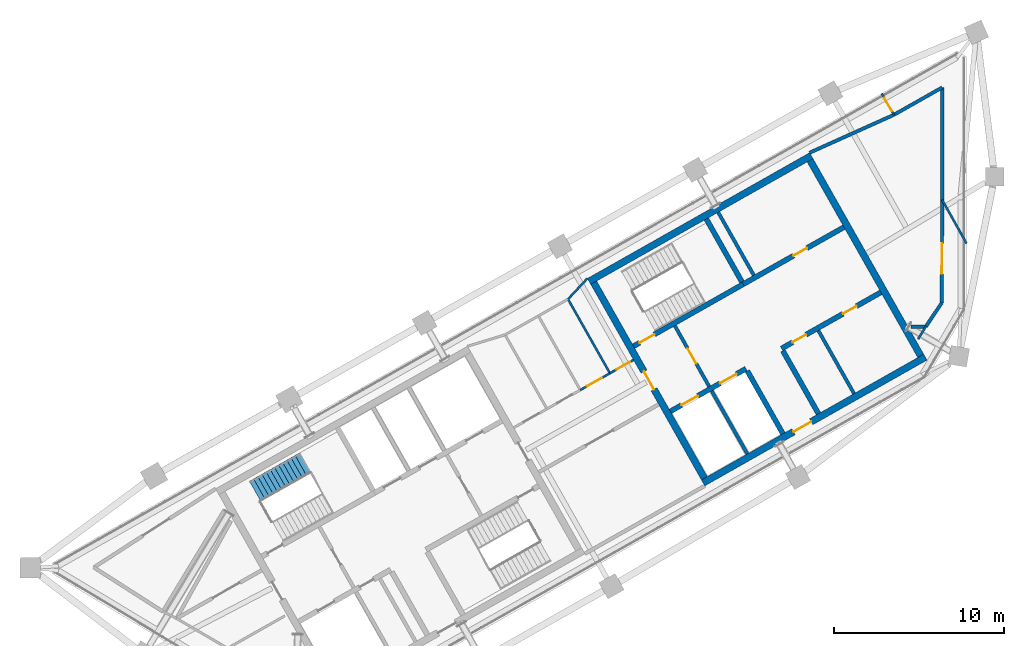
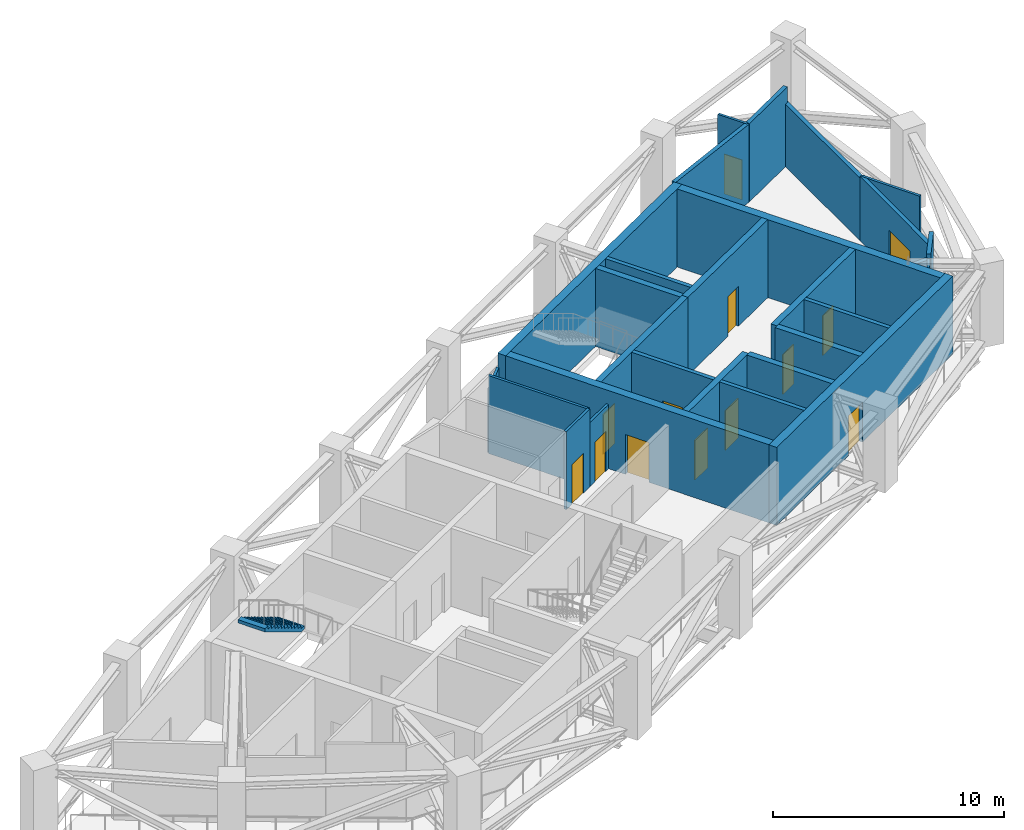
# One storey, part 7 of 10: 28 walls, 13 doors, 1 stair flight, 13 openings, 1 element without a shape of its own.
"""IFC4 building model written with IfcOpenShell, lengths in metres."""

from ifc_helpers import new_model, si_unit, direction, frame, frame_2d, origin, place, context, subcontext, project, spatial, polyline, rectangle, outline, extrude, material, layer, layer_set, type_object, element, fill, aggregate, save


model = new_model("IFC4")

# Units and contexts
model_context = context("Model", 3, precision=1e-05, world=origin(), true_north=direction((0.0, 1.0)))
body_context = subcontext(model_context, "Body", "Model", "MODEL_VIEW")
ifc_project = project(units=[si_unit("LENGTHUNIT", "METRE"), si_unit("AREAUNIT", "SQUARE_METRE"), si_unit("VOLUMEUNIT", "CUBIC_METRE"), si_unit("PLANEANGLEUNIT", "RADIAN"), si_unit("MASSUNIT", "GRAM", prefix="KILO")], contexts=[model_context])

# Site, building, storey
site_placement = place(None, origin())
site = spatial("IfcSite", under=ifc_project, at=site_placement, CompositionType="ELEMENT")
building_placement = place(site_placement, origin())
building = spatial("IfcBuilding", under=site, at=building_placement, Name="Binnacle Exchange Tower", CompositionType="ELEMENT")
storey_placement = place(building_placement, frame((0.0, 0.0, 312.10009765625)))
storey = spatial("IfcBuildingStorey", under=building, at=storey_placement, Name="L70", CompositionType="ELEMENT", Elevation=312.10009765625)

# Wall
ifc_material_1 = material(Name="Gypsum partition fire rated")
ifc_layer_1 = layer(ifc_material_1, 0.199951171875)
ifc_layer_set_1 = layer_set([ifc_layer_1], Name="Core partition 200")
wall_type_1 = type_object("IfcWallType", Name="Core partition 200", PredefinedType="PARTITIONING", material=ifc_layer_set_1)
wall_1_placement = place(storey_placement, frame((-11.201904296875, 50.96240234375, 0.0), z_axis=(0.0, 0.0, 1.0), x_axis=(0.492441437811, -0.870345580977, 0.0)))
element("IfcWall", 1, at=wall_1_placement, inside=storey, type_object=wall_type_1, Name="Core wall CRWC19", PredefinedType="PARTITIONING", context=body_context, shape_type="SweptSolid", body=[
    extrude(rectangle(XDim=4.250244140625, YDim=0.199951171875, at=frame_2d((2.125, 0.0))), origin(), (0.0, 0.0, 1.0), 4.119873046875),
])

# Wall, openings, doors
ifc_material_2 = material(Name="Concrete C70/85", Category="concrete")
ifc_layer_2 = layer(ifc_material_2, 0.300048828125)
ifc_layer_set_2 = layer_set([ifc_layer_2], Name="Core wall - front 300")
wall_type_2 = type_object("IfcWallType", Name="Core wall - front 300", PredefinedType="SOLIDWALL", material=ifc_layer_set_2)
wall_2_placement = place(storey_placement, frame((-19.89208984375, 46.2177734375, 0.0), z_axis=(0.0, 0.0, 1.0), x_axis=(0.870341639186, 0.492448404505, 0.0)))
wall_2 = element("IfcWall", 2, at=wall_2_placement, inside=storey, type_object=wall_type_2, Name="Core wall CRWC2", PredefinedType="SOLIDWALL", context=body_context, shape_type="SweptSolid", body=[
    extrude(rectangle(XDim=5.099853515625, YDim=0.300048828125, at=frame_2d((2.5498046875, 0.0))), origin(), (0.0, 0.0, 1.0), 4.119873046875),
])
opening_1_placement = place(wall_2_placement, frame((0.75, 0.0, 0.0)))
opening_1 = element("IfcOpeningElement", 3, at=opening_1_placement, cuts=wall_2, Name="Opening LD14", PredefinedType="OPENING", context=body_context, shape_type="SweptSolid", body=[
    extrude(rectangle(XDim=1.10009765625, YDim=2.10009765625, at=frame_2d((0.550048828125, 1.050048828125))), frame((0.0, 0.159912109375, 0.0), z_axis=(0.0, -1.0, 0.0), x_axis=(1.0, 0.0, 0.0)), (0.0, 0.0, 1.0), 0.320068359375),
])
opening_2_placement = place(wall_2_placement, frame((3.35009765625, 0.0, 0.0)))
opening_2 = element("IfcOpeningElement", 4, at=opening_2_placement, cuts=wall_2, Name="Opening LD11", PredefinedType="OPENING", context=body_context, shape_type="SweptSolid", body=[
    extrude(rectangle(XDim=1.10009765625, YDim=2.10009765625, at=frame_2d((0.550048828125, 1.050048828125))), frame((0.0, 0.159912109375, 0.0), z_axis=(0.0, -1.0, 0.0), x_axis=(1.0, 0.0, 0.0)), (0.0, 0.0, 1.0), 0.320068359375),
])
ifc_material_3 = material(Name="Steel door leaf", Category="steel")
door_type_1 = type_object("IfcDoorType", Name="Fire door - lift landing 1100", OperationType="NOTDEFINED", PredefinedType="DOOR", material=ifc_material_3)
door_1_placement = place(opening_1_placement, origin())
door_1 = element("IfcDoor", 5, at=door_1_placement, inside=storey, type_object=door_type_1, Name="Landing door LD14 L70", OperationType="DOUBLE_DOOR_SLIDING", OverallHeight=2.10009765625, OverallWidth=1.10009765625, PredefinedType="DOOR", context=body_context, shape_type="SweptSolid", body=[
    extrude(rectangle(XDim=1.10009765625, YDim=2.10009765625, at=frame_2d((0.550048828125, 1.050048828125))), frame((0.0, 0.02490234375, 0.0), z_axis=(0.0, -1.0, 0.0), x_axis=(1.0, 0.0, 0.0)), (0.0, 0.0, 1.0), 0.050048828125),
])
fill(opening_1, door_1)
door_2_placement = place(opening_2_placement, origin())
door_2 = element("IfcDoor", 6, at=door_2_placement, inside=storey, type_object=door_type_1, Name="Landing door LD11 L70", OperationType="DOUBLE_DOOR_SLIDING", OverallHeight=2.10009765625, OverallWidth=1.10009765625, PredefinedType="DOOR", context=body_context, shape_type="SweptSolid", body=[
    extrude(rectangle(XDim=1.10009765625, YDim=2.10009765625, at=frame_2d((0.550048828125, 1.050048828125))), frame((0.0, 0.02490234375, 0.0), z_axis=(0.0, -1.0, 0.0), x_axis=(1.0, 0.0, 0.0)), (0.0, 0.0, 1.0), 0.050048828125),
])
fill(opening_2, door_2)

wall_3_placement = place(storey_placement, frame((-13.364501953125, 49.910888671875, 0.0), z_axis=(0.0, 0.0, 1.0), x_axis=(0.870347618718, 0.492437836272, 0.0)))
wall_3 = element("IfcWall", 7, at=wall_3_placement, inside=storey, type_object=wall_type_2, Name="Core wall CRWC3", PredefinedType="SOLIDWALL", context=body_context, shape_type="SweptSolid", body=[
    extrude(rectangle(XDim=6.699951171875, YDim=0.300048828125, at=frame_2d((3.35009765625, 0.0))), origin(), (0.0, 0.0, 1.0), 4.119873046875),
])
opening_3_placement = place(wall_3_placement, frame((0.75, 0.0, 0.0)))
opening_3 = element("IfcOpeningElement", 8, at=opening_3_placement, cuts=wall_3, Name="Opening DC18", PredefinedType="OPENING", context=body_context, shape_type="SweptSolid", body=[
    extrude(rectangle(XDim=0.89990234375, YDim=2.10009765625, at=frame_2d((0.449951171875, 1.050048828125))), frame((0.0, 0.159912109375, 0.0), z_axis=(0.0, -1.0, 0.0), x_axis=(1.0, 0.0, 0.0)), (0.0, 0.0, 1.0), 0.320068359375),
])
opening_4_placement = place(wall_3_placement, frame((4.14990234375, 0.0, 0.0)))
opening_4 = element("IfcOpeningElement", 9, at=opening_4_placement, cuts=wall_3, Name="Opening DC19", PredefinedType="OPENING", context=body_context, shape_type="SweptSolid", body=[
    extrude(rectangle(XDim=0.89990234375, YDim=2.10009765625, at=frame_2d((0.449951171875, 1.050048828125))), frame((0.0, 0.159912109375, 0.0), z_axis=(0.0, -1.0, 0.0), x_axis=(1.0, 0.0, 0.0)), (0.0, 0.0, 1.0), 0.320068359375),
])
door_type_2 = type_object("IfcDoorType", Name="Fire door 900", OperationType="NOTDEFINED", PredefinedType="DOOR", material=ifc_material_3)
door_3_placement = place(opening_3_placement, frame((0.89990234375, 0.0, 0.0), z_axis=(0.0, 0.0, 1.0), x_axis=(-1.0, 0.0, 0.0)))
door_3 = element("IfcDoor", 10, at=door_3_placement, inside=storey, type_object=door_type_2, Name="Core room door IT STORE", OperationType="SINGLE_SWING_RIGHT", OverallHeight=2.10009765625, OverallWidth=0.89990234375, PredefinedType="DOOR", context=body_context, shape_type="SweptSolid", body=[
    extrude(rectangle(XDim=0.89990234375, YDim=2.10009765625, at=frame_2d((0.449951171875, 1.050048828125))), frame((0.0, 0.02490234375, 0.0), z_axis=(0.0, -1.0, 0.0), x_axis=(1.0, 0.0, 0.0)), (0.0, 0.0, 1.0), 0.050048828125),
])
fill(opening_3, door_3)
door_4_placement = place(opening_4_placement, frame((0.89990234375, 0.0, 0.0), z_axis=(0.0, 0.0, 1.0), x_axis=(-1.0, 0.0, 0.0)))
door_4 = element("IfcDoor", 11, at=door_4_placement, inside=storey, type_object=door_type_2, Name="Core room door TELECOM RISER ROOM", OperationType="SINGLE_SWING_LEFT", OverallHeight=2.10009765625, OverallWidth=0.89990234375, PredefinedType="DOOR", context=body_context, shape_type="SweptSolid", body=[
    extrude(rectangle(XDim=0.89990234375, YDim=2.10009765625, at=frame_2d((0.449951171875, 1.050048828125))), frame((0.0, 0.02490234375, 0.0), z_axis=(0.0, -1.0, 0.0), x_axis=(1.0, 0.0, 0.0)), (0.0, 0.0, 1.0), 0.050048828125),
])
fill(opening_4, door_4)

# Wall, opening, door
wall_4_placement = place(storey_placement, frame((-15.6181640625, 53.69140625, 0.0), z_axis=(0.0, 0.0, 1.0), x_axis=(0.870362830851, 0.492410948978, 0.0)))
wall_4 = element("IfcWall", 12, at=wall_4_placement, inside=storey, type_object=wall_type_2, Name="Core wall CRWC5", PredefinedType="SOLIDWALL", context=body_context, shape_type="SweptSolid", body=[
    extrude(rectangle(XDim=6.800048828125, YDim=0.300048828125, at=frame_2d((3.39990234375, 0.0))), origin(), (0.0, 0.0, 1.0), 4.119873046875),
])
opening_5_placement = place(wall_4_placement, frame((3.400146484375, 0.0, 0.0)))
opening_5 = element("IfcOpeningElement", 13, at=opening_5_placement, cuts=wall_4, Name="Opening DC10", PredefinedType="OPENING", context=body_context, shape_type="SweptSolid", body=[
    extrude(rectangle(XDim=0.89990234375, YDim=2.10009765625, at=frame_2d((0.449951171875, 1.050048828125))), frame((0.0, 0.159912109375, 0.0), z_axis=(0.0, -1.0, 0.0), x_axis=(1.0, 0.0, 0.0)), (0.0, 0.0, 1.0), 0.320068359375),
])
door_5_placement = place(opening_5_placement, origin())
door_5 = element("IfcDoor", 14, at=door_5_placement, inside=storey, type_object=door_type_2, Name="Core room door STAFF PANTRY AND STORE", OperationType="SINGLE_SWING_RIGHT", OverallHeight=2.10009765625, OverallWidth=0.89990234375, PredefinedType="DOOR", context=body_context, shape_type="SweptSolid", body=[
    extrude(rectangle(XDim=0.89990234375, YDim=2.10009765625, at=frame_2d((0.449951171875, 1.050048828125))), frame((0.0, 0.02490234375, 0.0), z_axis=(0.0, -1.0, 0.0), x_axis=(1.0, 0.0, 0.0)), (0.0, 0.0, 1.0), 0.050048828125),
])
fill(opening_5, door_5)

# Walls
wall_5_placement = place(storey_placement, frame((-15.37939453125, 48.5986328125, 0.0), z_axis=(0.0, 0.0, 1.0), x_axis=(0.492422543467, -0.870356271124, 0.0)))
element("IfcWall", 15, at=wall_5_placement, inside=storey, type_object=wall_type_2, Name="Core wall CRWC13", PredefinedType="SOLIDWALL", context=body_context, shape_type="SweptSolid", body=[
    extrude(rectangle(XDim=4.25, YDim=0.300048828125, at=frame_2d((2.125, 0.0))), origin(), (0.0, 0.0, 1.0), 4.119873046875),
])
wall_6_placement = place(storey_placement, frame((-13.29052734375, 49.780517578125, 0.0), z_axis=(0.0, 0.0, 1.0), x_axis=(0.492397924348, -0.870370199454, 0.0)))
element("IfcWall", 16, at=wall_6_placement, inside=storey, type_object=wall_type_2, Name="Core wall CRWC15", PredefinedType="SOLIDWALL", context=body_context, shape_type="SweptSolid", body=[
    extrude(rectangle(XDim=4.250244140625, YDim=0.300048828125, at=frame_2d((2.125, 0.0))), origin(), (0.0, 0.0, 1.0), 4.119873046875),
])

# Wall, opening, door
ifc_layer_3 = layer(ifc_material_2, 0.39990234375)
ifc_layer_set_3 = layer_set([ifc_layer_3], Name="Core wall - outer 400")
wall_type_3 = type_object("IfcWallType", Name="Core wall - outer 400", PredefinedType="SOLIDWALL", material=ifc_layer_set_3)
wall_7_placement = place(storey_placement, frame((-17.97509765625, 42.01708984375, 0.0), z_axis=(0.0, 0.0, 1.0), x_axis=(0.87034965173, 0.492434243055, 0.0)))
wall_7 = element("IfcWall", 17, at=wall_7_placement, inside=storey, type_object=wall_type_3, Name="Core wall CRWC1", PredefinedType="SOLIDWALL", context=body_context, shape_type="SweptSolid", body=[
    extrude(rectangle(XDim=15.0, YDim=0.39990234375, at=frame_2d((7.5, 0.0))), origin(), (0.0, 0.0, 1.0), 4.119873046875),
])
opening_6_placement = place(wall_7_placement, frame((6.10009765625, 0.0, 0.0)))
opening_6 = element("IfcOpeningElement", 18, at=opening_6_placement, cuts=wall_7, Name="Opening DC7", PredefinedType="OPENING", context=body_context, shape_type="SweptSolid", body=[
    extrude(rectangle(XDim=1.199951171875, YDim=2.10009765625, at=frame_2d((0.60009765625, 1.050048828125))), frame((0.0, 0.2099609375, 0.0), z_axis=(0.0, -1.0, 0.0), x_axis=(1.0, 0.0, 0.0)), (0.0, 0.0, 1.0), 0.419921875),
])
door_type_3 = type_object("IfcDoorType", Name="Fire door 1200", OperationType="NOTDEFINED", PredefinedType="DOOR", material=ifc_material_3)
door_6_placement = place(opening_6_placement, frame((1.199951171875, 0.0, 0.0), z_axis=(0.0, 0.0, 1.0), x_axis=(-1.0, 0.0, 0.0)))
door_6 = element("IfcDoor", 19, at=door_6_placement, inside=storey, type_object=door_type_3, Name="Lift lobby entrance door core C", OperationType="SINGLE_SWING_RIGHT", OverallHeight=2.10009765625, OverallWidth=1.199951171875, PredefinedType="DOOR", context=body_context, shape_type="SweptSolid", body=[
    extrude(rectangle(XDim=1.199951171875, YDim=2.10009765625, at=frame_2d((0.60009765625, 1.050048828125))), frame((0.0, 0.02490234375, 0.0), z_axis=(0.0, -1.0, 0.0), x_axis=(1.0, 0.0, 0.0)), (0.0, 0.0, 1.0), 0.050048828125),
])
fill(opening_6, door_6)

# Wall
wall_8_placement = place(storey_placement, frame((-24.672119140625, 53.85400390625, 0.0), z_axis=(0.0, 0.0, 1.0), x_axis=(0.870353598469, 0.492427267353, 0.0)))
element("IfcWall", 20, at=wall_8_placement, inside=storey, type_object=wall_type_3, Name="Core wall CRWC6", PredefinedType="SOLIDWALL", context=body_context, shape_type="SweptSolid", body=[
    extrude(rectangle(XDim=15.000244140625, YDim=0.39990234375, at=frame_2d((7.5, 0.0))), origin(), (0.0, 0.0, 1.0), 4.119873046875),
])

# Wall, opening, door
wall_9_placement = place(storey_placement, frame((-24.399658203125, 53.778564453125, 0.0), z_axis=(0.0, 0.0, 1.0), x_axis=(0.492421663121, -0.870356769198, 0.0)))
wall_9 = element("IfcWall", 21, at=wall_9_placement, inside=storey, type_object=wall_type_3, Name="Core wall CRWC7", PredefinedType="SOLIDWALL", context=body_context, shape_type="SweptSolid", body=[
    extrude(rectangle(XDim=13.199951171875, YDim=0.39990234375, at=frame_2d((6.60009765625, 0.0))), origin(), (0.0, 0.0, 1.0), 4.119873046875),
])
opening_7_placement = place(wall_9_placement, frame((6.0, 0.0, 0.0)))
opening_7 = element("IfcOpeningElement", 22, at=opening_7_placement, cuts=wall_9, Name="Opening DC5", PredefinedType="OPENING", context=body_context, shape_type="SweptSolid", body=[
    extrude(rectangle(XDim=1.199951171875, YDim=2.10009765625, at=frame_2d((0.60009765625, 1.050048828125))), frame((0.0, 0.2099609375, 0.0), z_axis=(0.0, -1.0, 0.0), x_axis=(1.0, 0.0, 0.0)), (0.0, 0.0, 1.0), 0.419921875),
])
door_7_placement = place(opening_7_placement, frame((1.199951171875, 0.0, 0.0), z_axis=(0.0, 0.0, 1.0), x_axis=(-1.0, 0.0, 0.0)))
door_7 = element("IfcDoor", 23, at=door_7_placement, inside=storey, type_object=door_type_3, Name="Vestibule exit door VEST-W", OperationType="SINGLE_SWING_RIGHT", OverallHeight=2.10009765625, OverallWidth=1.199951171875, PredefinedType="DOOR", context=body_context, shape_type="SweptSolid", body=[
    extrude(rectangle(XDim=1.199951171875, YDim=2.10009765625, at=frame_2d((0.60009765625, 1.050048828125))), frame((0.0, 0.02490234375, 0.0), z_axis=(0.0, -1.0, 0.0), x_axis=(1.0, 0.0, 0.0)), (0.0, 0.0, 1.0), 0.050048828125),
])
fill(opening_7, door_7)

# Wall
wall_10_placement = place(storey_placement, frame((-11.6923828125, 60.968017578125, 0.0), z_axis=(0.0, 0.0, 1.0), x_axis=(0.492421663121, -0.870356769198, 0.0)))
element("IfcWall", 24, at=wall_10_placement, inside=storey, type_object=wall_type_3, Name="Core wall CRWC24", PredefinedType="SOLIDWALL", context=body_context, shape_type="SweptSolid", body=[
    extrude(rectangle(XDim=13.199951171875, YDim=0.39990234375, at=frame_2d((6.60009765625, 0.0))), origin(), (0.0, 0.0, 1.0), 4.119873046875),
])

# Wall, opening, door
ifc_layer_4 = layer(ifc_material_2, 0.300048828125)
ifc_layer_set_4 = layer_set([ifc_layer_4], Name="Core wall - stair 300")
wall_type_4 = type_object("IfcWallType", Name="Core wall - stair 300", PredefinedType="SOLIDWALL", material=ifc_layer_set_4)
wall_11_placement = place(storey_placement, frame((-22.058837890625, 50.04736328125, 0.0), z_axis=(0.0, 0.0, 1.0), x_axis=(0.87035077051, 0.49243226567, 0.0)))
wall_11 = element("IfcWall", 25, at=wall_11_placement, inside=storey, type_object=wall_type_4, Name="Core wall CRWC4", PredefinedType="SOLIDWALL", context=body_context, shape_type="SweptSolid", body=[
    extrude(rectangle(XDim=7.400146484375, YDim=0.300048828125, at=frame_2d((3.7001953125, 0.0))), origin(), (0.0, 0.0, 1.0), 4.119873046875),
])
opening_8_placement = place(wall_11_placement, frame((0.39990234375, 0.0, 0.0)))
opening_8 = element("IfcOpeningElement", 26, at=opening_8_placement, cuts=wall_11, Name="Opening DC1", PredefinedType="OPENING", context=body_context, shape_type="SweptSolid", body=[
    extrude(rectangle(XDim=1.0, YDim=2.10009765625, at=frame_2d((0.5, 1.050048828125))), frame((0.0, 0.159912109375, 0.0), z_axis=(0.0, -1.0, 0.0), x_axis=(1.0, 0.0, 0.0)), (0.0, 0.0, 1.0), 0.320068359375),
])
door_type_4 = type_object("IfcDoorType", Name="Fire door 1000", OperationType="NOTDEFINED", PredefinedType="DOOR", material=ifc_material_3)
door_8_placement = place(opening_8_placement, origin())
door_8 = element("IfcDoor", 27, at=door_8_placement, inside=storey, type_object=door_type_4, Name="Stair door ST-C1", OperationType="SINGLE_SWING_LEFT", OverallHeight=2.10009765625, OverallWidth=1.0, PredefinedType="DOOR", context=body_context, shape_type="SweptSolid", body=[
    extrude(rectangle(XDim=1.0, YDim=2.10009765625, at=frame_2d((0.5, 1.050048828125))), frame((0.0, 0.02490234375, 0.0), z_axis=(0.0, -1.0, 0.0), x_axis=(1.0, 0.0, 0.0)), (0.0, 0.0, 1.0), 0.050048828125),
])
fill(opening_8, door_8)

# Walls
wall_12_placement = place(storey_placement, frame((-17.784912109375, 57.52099609375, 0.0), z_axis=(0.0, 0.0, 1.0), x_axis=(0.492422543467, -0.870356271124, 0.0)))
element("IfcWall", 28, at=wall_12_placement, inside=storey, type_object=wall_type_4, Name="Core wall CRWC14", PredefinedType="SOLIDWALL", context=body_context, shape_type="SweptSolid", body=[
    extrude(rectangle(XDim=4.25, YDim=0.300048828125, at=frame_2d((2.125, 0.0))), origin(), (0.0, 0.0, 1.0), 4.119873046875),
])
ifc_material_4 = material(Name="Masonry block wall", Category="masonry")
ifc_layer_5 = layer(ifc_material_4, 0.199951171875)
ifc_layer_set_5 = layer_set([ifc_layer_5], Name="Fire wall - block 200")
wall_type_5 = type_object("IfcWallType", Name="Fire wall - block 200", PredefinedType="PARTITIONING", material=ifc_layer_set_5)
wall_13_placement = place(storey_placement, frame((-11.715087890625, 61.4140625, 0.0), z_axis=(0.0, 0.0, 1.0), x_axis=(0.911945048706, 0.410312354361, 0.0)))
element("IfcWall", 29, at=wall_13_placement, inside=storey, type_object=wall_type_5, Name="Partition W24", PredefinedType="PARTITIONING", context=body_context, shape_type="SweptSolid", body=[
    extrude(rectangle(XDim=5.432373046875, YDim=0.199951171875, at=frame_2d((2.71630859375, 0.0))), origin(), (0.0, 0.0, 1.0), 4.119873046875),
])
wall_14_placement = place(storey_placement, frame((-6.760986328125, 63.64306640625, 0.0), z_axis=(0.0, 0.0, 1.0), x_axis=(0.870366841372, 0.492403860098, 0.0)))
element("IfcWall", 30, at=wall_14_placement, inside=storey, type_object=wall_type_5, Name="Partition W26", PredefinedType="PARTITIONING", context=body_context, shape_type="SweptSolid", body=[
    extrude(rectangle(XDim=3.2490234375, YDim=0.199951171875, at=frame_2d((1.62451171875, 0.0))), origin(), (0.0, 0.0, 1.0), 4.119873046875),
])
wall_15_placement = place(storey_placement, frame((-5.758056640625, 51.18994140625, 0.0), z_axis=(0.0, 0.0, 1.0), x_axis=(0.999929677687, 0.011859160192, 0.0)))
element("IfcWall", 31, at=wall_15_placement, inside=storey, type_object=wall_type_5, Name="Partition W27", PredefinedType="PARTITIONING", context=body_context, shape_type="SweptSolid", body=[
    extrude(rectangle(XDim=0.843994140625, YDim=0.199951171875, at=frame_2d((0.421875, 0.0))), origin(), (0.0, 0.0, 1.0), 3.885986328125),
])
wall_16_placement = place(storey_placement, frame((-4.89208984375, 51.199951171875, 0.0), z_axis=(0.0, 0.0, 1.0), x_axis=(0.557987221871, 0.829849540717, 0.0)))
element("IfcWall", 32, at=wall_16_placement, inside=storey, type_object=wall_type_5, Name="Partition W29", PredefinedType="PARTITIONING", context=body_context, shape_type="SweptSolid", body=[
    extrude(rectangle(XDim=1.677490234375, YDim=0.199951171875, at=frame_2d((0.8388671875, 0.0))), origin(), (0.0, 0.0, 1.0), 4.119873046875),
])

# Wall, opening, door
wall_17_placement = place(storey_placement, frame((-3.9560546875, 52.592041015625, 0.0), z_axis=(0.0, 0.0, 1.0), x_axis=(0.004320747909, 0.999990665525, 0.0)))
wall_17 = element("IfcWall", 33, at=wall_17_placement, inside=storey, type_object=wall_type_5, Name="Partition W30", PredefinedType="PARTITIONING", context=body_context, shape_type="SweptSolid", body=[
    extrude(rectangle(XDim=6.0458984375, YDim=0.199951171875, at=frame_2d((3.02294921875, 0.0))), origin(), (0.0, 0.0, 1.0), 3.39990234375),
])
opening_9_placement = place(wall_17_placement, frame((1.699951171875, 0.0, 0.0)))
opening_9 = element("IfcOpeningElement", 34, at=opening_9_placement, cuts=wall_17, Name="Opening DL70-08", PredefinedType="OPENING", context=body_context, shape_type="SweptSolid", body=[
    extrude(rectangle(XDim=1.800048828125, YDim=2.10009765625, at=frame_2d((0.89990234375, 1.050048828125))), frame((0.0, 0.10986328125, 0.0), z_axis=(0.0, -1.0, 0.0), x_axis=(1.0, 0.0, 0.0)), (0.0, 0.0, 1.0), 0.219970703125),
])
door_type_5 = type_object("IfcDoorType", Name="Fire door 1800", OperationType="NOTDEFINED", PredefinedType="DOOR", material=ifc_material_3)
door_9_placement = place(opening_9_placement, origin())
door_9 = element("IfcDoor", 35, at=door_9_placement, inside=storey, type_object=door_type_5, Name="Door DL70-08", OperationType="DOUBLE_DOOR_SINGLE_SWING", OverallHeight=2.10009765625, OverallWidth=1.800048828125, PredefinedType="DOOR", context=body_context, shape_type="SweptSolid", body=[
    extrude(rectangle(XDim=1.800048828125, YDim=2.10009765625, at=frame_2d((0.89990234375, 1.050048828125))), frame((0.0, 0.02490234375, 0.0), z_axis=(0.0, -1.0, 0.0), x_axis=(1.0, 0.0, 0.0)), (0.0, 0.0, 1.0), 0.050048828125),
])
fill(opening_9, door_9)

# Wall
wall_18_placement = place(storey_placement, frame((-3.93310546875, 65.242919921875, 0.0), z_axis=(0.0, 0.0, 1.0), x_axis=(0.000480520385, -0.99999988455, 0.0)))
element("IfcWall", 36, at=wall_18_placement, inside=storey, type_object=wall_type_5, Name="Partition W31", PredefinedType="PARTITIONING", context=body_context, shape_type="SweptSolid", body=[
    extrude(rectangle(XDim=6.60498046875, YDim=0.199951171875, at=frame_2d((3.302490234375, 0.0))), origin(), (0.0, 0.0, 1.0), 3.2998046875),
])

# Wall, opening, door
ifc_layer_6 = layer(ifc_material_4, 0.199951171875)
ifc_layer_set_6 = layer_set([ifc_layer_6], Name="Fire wall - vestibule 200")
wall_type_6 = type_object("IfcWallType", Name="Fire wall - vestibule 200", PredefinedType="PARTITIONING", material=ifc_layer_set_6)
wall_19_placement = place(storey_placement, frame((-19.635009765625, 51.246337890625, 0.0), z_axis=(0.0, 0.0, 1.0), x_axis=(0.492408451753, -0.87036424366, 0.0)))
wall_19 = element("IfcWall", 37, at=wall_19_placement, inside=storey, type_object=wall_type_6, Name="Core wall CRWC10", PredefinedType="PARTITIONING", context=body_context, shape_type="SweptSolid", body=[
    extrude(rectangle(XDim=4.099853515625, YDim=0.199951171875, at=frame_2d((2.0498046875, 0.0))), origin(), (0.0, 0.0, 1.0), 4.119873046875),
])
opening_10_placement = place(wall_19_placement, frame((1.550048828125, 0.0, 0.0)))
opening_10 = element("IfcOpeningElement", 38, at=opening_10_placement, cuts=wall_19, Name="Opening DC3", PredefinedType="OPENING", context=body_context, shape_type="SweptSolid", body=[
    extrude(rectangle(XDim=1.0, YDim=2.10009765625, at=frame_2d((0.5, 1.050048828125))), frame((0.0, 0.10986328125, 0.0), z_axis=(0.0, -1.0, 0.0), x_axis=(1.0, 0.0, 0.0)), (0.0, 0.0, 1.0), 0.219970703125),
])
door_10_placement = place(opening_10_placement, frame((1.0, 0.0, 0.0), z_axis=(0.0, 0.0, 1.0), x_axis=(-1.0, 0.0, 0.0)))
door_10 = element("IfcDoor", 39, at=door_10_placement, inside=storey, type_object=door_type_4, Name="Vestibule door VEST-W", OperationType="SINGLE_SWING_RIGHT", OverallHeight=2.10009765625, OverallWidth=1.0, PredefinedType="DOOR", context=body_context, shape_type="SweptSolid", body=[
    extrude(rectangle(XDim=1.0, YDim=2.10009765625, at=frame_2d((0.5, 1.050048828125))), frame((0.0, 0.02490234375, 0.0), z_axis=(0.0, -1.0, 0.0), x_axis=(1.0, 0.0, 0.0)), (0.0, 0.0, 1.0), 0.050048828125),
])
fill(opening_10, door_10)

# Walls
ifc_material_5 = material(Name="Gypsum partition")
ifc_layer_7 = layer(ifc_material_5, 0.125)
ifc_layer_set_7 = layer_set([ifc_layer_7], Name="Partition 125")
wall_type_7 = type_object("IfcWallType", Name="Partition 125", PredefinedType="PARTITIONING", material=ifc_layer_set_7)
wall_20_placement = place(storey_placement, frame((-25.908935546875, 52.81005859375, 0.0), z_axis=(0.0, 0.0, 1.0), x_axis=(0.682678244456, 0.730719107829, 0.0)))
element("IfcWall", 40, at=wall_20_placement, inside=storey, type_object=wall_type_7, Name="Partition W19", PredefinedType="PARTITIONING", context=body_context, shape_type="SweptSolid", body=[
    extrude(rectangle(XDim=1.6669921875, YDim=0.125, at=frame_2d((0.83349609375, 0.0))), origin(), (0.0, 0.0, 1.0), 3.391845703125),
])
wall_21_placement = place(storey_placement, frame((-25.908935546875, 52.81005859375, 0.0), z_axis=(0.0, 0.0, 1.0), x_axis=(0.492369352746, -0.870386362759, 0.0)))
element("IfcWall", 41, at=wall_21_placement, inside=storey, type_object=wall_type_7, Name="Partition W20", PredefinedType="PARTITIONING", context=body_context, shape_type="SweptSolid", body=[
    extrude(rectangle(XDim=5.000244140625, YDim=0.125, at=frame_2d((2.5, 0.0))), origin(), (0.0, 0.0, 1.0), 4.119873046875),
])

# Wall, opening, door
wall_22_placement = place(storey_placement, frame((-25.18798828125, 47.472900390625, 0.0), z_axis=(0.0, 0.0, 1.0), x_axis=(0.870330884088, 0.492467412326, 0.0)))
wall_22 = element("IfcWall", 42, at=wall_22_placement, inside=storey, type_object=wall_type_7, Name="Partition W21", PredefinedType="PARTITIONING", context=body_context, shape_type="SweptSolid", body=[
    extrude(rectangle(XDim=2.000244140625, YDim=0.125, at=frame_2d((1.0, 0.0))), origin(), (0.0, 0.0, 1.0), 4.119873046875),
])
opening_11_placement = place(wall_22_placement, frame((0.449951171875, 0.0, 0.0)))
opening_11 = element("IfcOpeningElement", 43, at=opening_11_placement, cuts=wall_22, Name="Opening DL70-05", PredefinedType="OPENING", context=body_context, shape_type="SweptSolid", body=[
    extrude(rectangle(XDim=1.0, YDim=2.10009765625, at=frame_2d((0.5, 1.050048828125))), frame((0.0, 0.072509765625, 0.0), z_axis=(0.0, -1.0, 0.0), x_axis=(1.0, 0.0, 0.0)), (0.0, 0.0, 1.0), 0.14501953125),
])
ifc_material_6 = material(Name="Timber door leaf", Category="wood")
door_type_6 = type_object("IfcDoorType", Name="Door 1000", OperationType="NOTDEFINED", PredefinedType="DOOR", material=ifc_material_6)
door_11_placement = place(opening_11_placement, origin())
door_11 = element("IfcDoor", 44, at=door_11_placement, inside=storey, type_object=door_type_6, Name="Door DL70-05", OperationType="SINGLE_SWING_LEFT", OverallHeight=2.10009765625, OverallWidth=1.0, PredefinedType="DOOR", context=body_context, shape_type="SweptSolid", body=[
    extrude(rectangle(XDim=1.0, YDim=2.10009765625, at=frame_2d((0.5, 1.050048828125))), frame((0.0, 0.02490234375, 0.0), z_axis=(0.0, -1.0, 0.0), x_axis=(1.0, 0.0, 0.0)), (0.0, 0.0, 1.0), 0.050048828125),
])
fill(opening_11, door_11)

wall_23_placement = place(storey_placement, frame((-23.447021484375, 48.4580078125, 0.0), z_axis=(0.0, 0.0, 1.0), x_axis=(0.870528540927, 0.492117932443, 0.0)))
wall_23 = element("IfcWall", 45, at=wall_23_placement, inside=storey, type_object=wall_type_7, Name="Partition W23", PredefinedType="PARTITIONING", context=body_context, shape_type="SweptSolid", body=[
    extrude(rectangle(XDim=1.591064453125, YDim=0.125, at=frame_2d((0.79541015625, 0.0))), origin(), (0.0, 0.0, 1.0), 3.391845703125),
])
opening_12_placement = place(wall_23_placement, frame((0.449951171875, 0.0, 0.0)))
opening_12 = element("IfcOpeningElement", 46, at=opening_12_placement, cuts=wall_23, Name="Opening DL70-06", PredefinedType="OPENING", context=body_context, shape_type="SweptSolid", body=[
    extrude(rectangle(XDim=0.89990234375, YDim=2.10009765625, at=frame_2d((0.449951171875, 1.050048828125))), frame((0.0, 0.072509765625, 0.0), z_axis=(0.0, -1.0, 0.0), x_axis=(1.0, 0.0, 0.0)), (0.0, 0.0, 1.0), 0.14501953125),
])
door_type_7 = type_object("IfcDoorType", Name="Door 900", OperationType="NOTDEFINED", PredefinedType="DOOR", material=ifc_material_6)
door_12_placement = place(opening_12_placement, origin())
door_12 = element("IfcDoor", 47, at=door_12_placement, inside=storey, type_object=door_type_7, Name="Door DL70-06", OperationType="SINGLE_SWING_RIGHT", OverallHeight=2.10009765625, OverallWidth=0.89990234375, PredefinedType="DOOR", context=body_context, shape_type="SweptSolid", body=[
    extrude(rectangle(XDim=0.89990234375, YDim=2.10009765625, at=frame_2d((0.449951171875, 1.050048828125))), frame((0.0, 0.02490234375, 0.0), z_axis=(0.0, -1.0, 0.0), x_axis=(1.0, 0.0, 0.0)), (0.0, 0.0, 1.0), 0.050048828125),
])
fill(opening_12, door_12)

wall_24_placement = place(storey_placement, frame((-7.48388671875, 64.89404296875, 0.0), z_axis=(0.0, 0.0, 1.0), x_axis=(0.500336716268, -0.865830913258, 0.0)))
wall_24 = element("IfcWall", 48, at=wall_24_placement, inside=storey, type_object=wall_type_7, Name="Partition W25", PredefinedType="PARTITIONING", context=body_context, shape_type="SweptSolid", body=[
    extrude(rectangle(XDim=1.44482421875, YDim=0.125, at=frame_2d((0.722412109375, 0.0))), origin(), (0.0, 0.0, 1.0), 4.119873046875),
])
opening_13_placement = place(wall_24_placement, frame((0.300048828125, 0.0, 0.0)))
opening_13 = element("IfcOpeningElement", 49, at=opening_13_placement, cuts=wall_24, Name="Opening DL70-01", PredefinedType="OPENING", context=body_context, shape_type="SweptSolid", body=[
    extrude(rectangle(XDim=0.89990234375, YDim=2.10009765625, at=frame_2d((0.449951171875, 1.050048828125))), frame((0.0, 0.072509765625, 0.0), z_axis=(0.0, -1.0, 0.0), x_axis=(1.0, 0.0, 0.0)), (0.0, 0.0, 1.0), 0.14501953125),
])
door_13_placement = place(opening_13_placement, origin())
door_13 = element("IfcDoor", 50, at=door_13_placement, inside=storey, type_object=door_type_7, Name="Door DL70-01", OperationType="SINGLE_SWING_RIGHT", OverallHeight=2.10009765625, OverallWidth=0.89990234375, PredefinedType="DOOR", context=body_context, shape_type="SweptSolid", body=[
    extrude(rectangle(XDim=0.89990234375, YDim=2.10009765625, at=frame_2d((0.449951171875, 1.050048828125))), frame((0.0, 0.02490234375, 0.0), z_axis=(0.0, -1.0, 0.0), x_axis=(1.0, 0.0, 0.0)), (0.0, 0.0, 1.0), 0.050048828125),
])
fill(opening_13, door_13)

# Walls
wall_25_placement = place(storey_placement, frame((-5.346923828125, 50.462890625, 0.0), z_axis=(0.0, 0.0, 1.0), x_axis=(0.525419885988, 0.850843078016, 0.0)))
element("IfcWall", 51, at=wall_25_placement, inside=storey, type_object=wall_type_7, Name="Partition W28", PredefinedType="PARTITIONING", context=body_context, shape_type="SweptSolid", body=[
    extrude(rectangle(XDim=0.8544921875, YDim=0.125, at=frame_2d((0.42724609375, 0.0))), origin(), (0.0, 0.0, 1.0), 3.885986328125),
])
wall_26_placement = place(storey_placement, frame((-3.929931640625, 58.637939453125, 0.0), z_axis=(0.0, 0.0, 1.0), x_axis=(0.488671964057, -0.872467599137, 0.0)))
element("IfcWall", 52, at=wall_26_placement, inside=storey, type_object=wall_type_7, Name="Partition W32", PredefinedType="PARTITIONING", context=body_context, shape_type="SweptSolid", body=[
    extrude(rectangle(XDim=2.92626953125, YDim=0.125, at=frame_2d((1.463134765625, 0.0))), origin(), (0.0, 0.0, 1.0), 3.39990234375),
])
ifc_layer_8 = layer(ifc_material_4, 0.199951171875)
ifc_layer_set_8 = layer_set([ifc_layer_8], Name="Riser wall 200")
wall_type_8 = type_object("IfcWallType", Name="Riser wall 200", PredefinedType="SOLIDWALL", material=ifc_layer_set_8)
wall_27_placement = place(storey_placement, frame((-17.088623046875, 57.914794921875, 0.0), z_axis=(0.0, 0.0, 1.0), x_axis=(0.492422543467, -0.870356271124, 0.0)))
element("IfcWall", 53, at=wall_27_placement, inside=storey, type_object=wall_type_8, Name="Core wall CRWC16", PredefinedType="SOLIDWALL", context=body_context, shape_type="SweptSolid", body=[
    extrude(rectangle(XDim=4.25, YDim=0.199951171875, at=frame_2d((2.125, 0.0))), origin(), (0.0, 0.0, 1.0), 4.119873046875),
])
ifc_layer_9 = layer(ifc_material_4, 0.199951171875)
ifc_layer_set_9 = layer_set([ifc_layer_9], Name="Shaft wall 200")
wall_type_9 = type_object("IfcWallType", Name="Shaft wall 200", PredefinedType="SOLIDWALL", material=ifc_layer_set_9)
wall_28_placement = place(storey_placement, frame((-17.468505859375, 47.416748046875, 0.0), z_axis=(0.0, 0.0, 1.0), x_axis=(0.492466057713, -0.870331650579, 0.0)))
element("IfcWall", 54, at=wall_28_placement, inside=storey, type_object=wall_type_9, Name="Core wall CRWC9", PredefinedType="SOLIDWALL", context=body_context, shape_type="SweptSolid", body=[
    extrude(rectangle(XDim=4.25, YDim=0.199951171875, at=frame_2d((2.125, 0.0))), origin(), (0.0, 0.0, 1.0), 4.119873046875),
])

# Stair, stair flight
ifc_material_7 = material(Name="Concrete C35/45", Category="concrete")
stair_type = type_object("IfcStairType", Name="STAIR 26 RISERS 169", PredefinedType="HALF_TURN_STAIR", material=ifc_material_7)
stair_placement = place(storey_placement, origin())
stair = element("IfcStair", 55, at=stair_placement, inside=storey, type_object=stair_type, Name="L70 Escape stair A1", PredefinedType="HALF_TURN_STAIR")
stair_flight_type = type_object("IfcStairFlightType", Name="STAIR FLIGHT 169X280", PredefinedType="STRAIGHT", material=ifc_material_7)
stair_flight_placement = place(storey_placement, frame((-41.359130859375, 43.177978515625, 2.199951171875), z_axis=(0.0, 0.0, 1.0), x_axis=(-0.870355584213, -0.492423757581, 0.0)))
stair_flight = element("IfcStairFlight", 56, at=stair_flight_placement, type_object=stair_flight_type, Name="STA1 flight 2", NumberOfRisers=13, NumberOfTreads=12, PredefinedType="STRAIGHT", RiserHeight=0.169230769, TreadLength=0.28, context=body_context, shape_type="SweptSolid", body=[
    extrude(outline(polyline([(0.0, 0.0), (0.0, 0.169189453125), (0.280029296875, 0.169189453125), (0.280029296875, 0.33837890625), (0.56005859375, 0.33837890625), (0.56005859375, 0.5078125), (0.840087890625, 0.5078125), (0.840087890625, 0.677001953125), (1.1201171875, 0.677001953125), (1.1201171875, 0.84619140625), (1.39990234375, 0.84619140625), (1.39990234375, 1.015380859375), (1.679931640625, 1.015380859375), (1.679931640625, 1.1845703125), (1.9599609375, 1.1845703125), (1.9599609375, 1.353759765625), (2.239990234375, 1.353759765625), (2.239990234375, 1.523193359375), (2.52001953125, 1.523193359375), (2.52001953125, 1.6923828125), (2.800048828125, 1.6923828125), (2.800048828125, 1.861572265625), (3.080078125, 1.861572265625), (3.080078125, 2.03076171875), (3.360107421875, 2.03076171875), (3.360107421875, 2.199951171875), (3.360107421875, 1.855712890625), (0.289794921875, 0.0), (0.0, 0.0)])), frame((0.0, 0.675048828125, 0.0), z_axis=(0.0, -1.0, 0.0), x_axis=(1.0, 0.0, 0.0)), (0.0, 0.0, 1.0), 1.35009765625),
])
aggregate(stair, [stair_flight])

save(model, "model.ifc")
